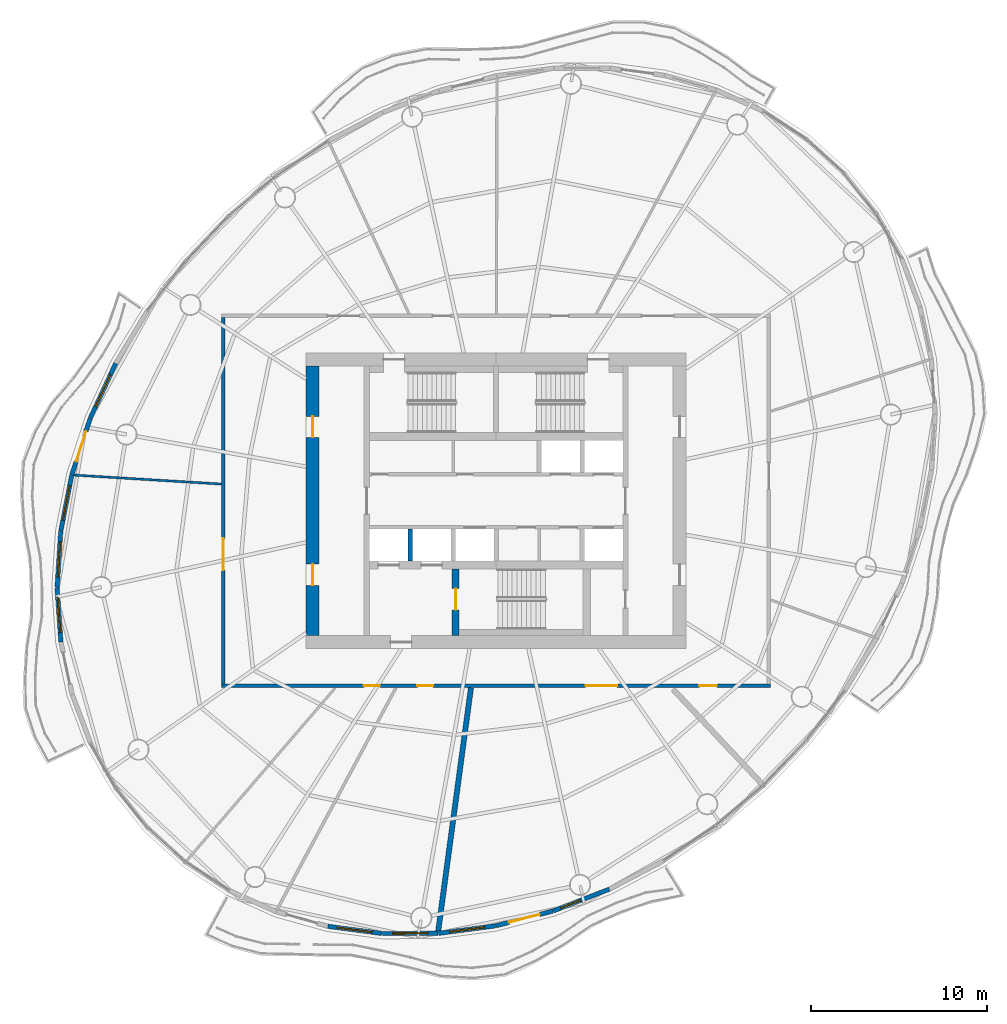
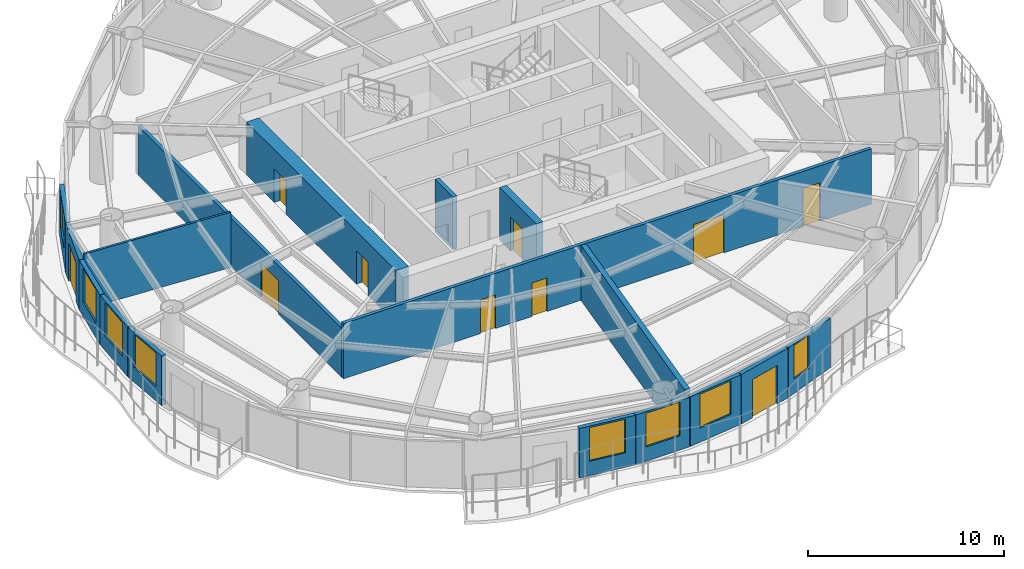
# One storey, part 8 of 14: 17 walls, 10 doors, 8 windows, 18 openings.
"""IFC4 building model written with IfcOpenShell, lengths in metres."""

from ifc_helpers import new_model, si_unit, direction, frame, frame_2d, origin, place, context, subcontext, project, spatial, rectangle, extrude, material, layer, layer_set, type_object, element, fill, save


model = new_model("IFC4")

# Units and contexts
model_context = context("Model", 3, precision=1e-05, world=origin(), true_north=direction((0.0, 1.0)))
body_context = subcontext(model_context, "Body", "Model", "MODEL_VIEW")
ifc_project = project(units=[si_unit("LENGTHUNIT", "METRE"), si_unit("AREAUNIT", "SQUARE_METRE"), si_unit("VOLUMEUNIT", "CUBIC_METRE"), si_unit("PLANEANGLEUNIT", "RADIAN"), si_unit("MASSUNIT", "GRAM", prefix="KILO")], contexts=[model_context])

# Site, building, storey
site_placement = place(None, origin())
site = spatial("IfcSite", under=ifc_project, at=site_placement, CompositionType="ELEMENT")
building_placement = place(site_placement, origin())
building = spatial("IfcBuilding", under=site, at=building_placement, Name="Vermilion Reach Broadcast Tower", CompositionType="ELEMENT")
storey_placement = place(building_placement, frame((0.0, 0.0, 206.5)))
storey = spatial("IfcBuildingStorey", under=building, at=storey_placement, Name="L50", CompositionType="ELEMENT", Elevation=206.5)

# Wall, opening, door
ifc_material_1 = material(Name="Concrete C60", Category="concrete")
ifc_layer_1 = layer(ifc_material_1, 0.39990234375)
ifc_layer_set_1 = layer_set([ifc_layer_1], Name="Core inner wall 400 mm Concrete C60")
wall_type_1 = type_object("IfcWallType", Name="Core inner wall 400 mm Concrete C60", PredefinedType="SHEAR", material=ifc_layer_set_1)
wall_1_placement = place(storey_placement, frame((-8.300048828125, -3.8798828125, 0.0), z_axis=(0.0, 0.0, 1.0), x_axis=(0.0, -1.0, 0.0)))
wall_1 = element("IfcWall", 1, at=wall_1_placement, inside=storey, type_object=wall_type_1, Name="L50 core wall wa", PredefinedType="SHEAR", context=body_context, shape_type="SweptSolid", body=[
    extrude(rectangle(XDim=3.77001953125, YDim=0.39990234375, at=frame_2d((1.885009765625, 0.0))), origin(), (0.0, 0.0, 1.0), 3.300048828125),
])
opening_1_placement = place(wall_1_placement, frame((1.110107421875, 0.0, 0.0)))
opening_1 = element("IfcOpeningElement", 2, at=opening_1_placement, cuts=wall_1, Name="Opening D01", PredefinedType="OPENING", context=body_context, shape_type="SweptSolid", body=[
    extrude(rectangle(XDim=1.199951171875, YDim=2.10009765625, at=frame_2d((0.60009765625, 1.050048828125))), frame((0.0, 0.2099609375, 0.0), z_axis=(0.0, -1.0, 0.0), x_axis=(1.0, 0.0, 0.0)), (0.0, 0.0, 1.0), 0.419921875),
])
ifc_material_2 = material(Name="Painted steel fire door", Category="steel")
door_type_1 = type_object("IfcDoorType", Name="Stair door 1200 x 2100", OperationType="DOUBLE_DOOR_SINGLE_SWING", PredefinedType="NOTDEFINED", material=ifc_material_2)
door_1_placement = place(opening_1_placement, origin())
door_1 = element("IfcDoor", 3, at=door_1_placement, inside=storey, type_object=door_type_1, Name="L50 stair door ST3", OperationType="DOUBLE_DOOR_SINGLE_SWING", OverallHeight=2.10009765625, OverallWidth=1.199951171875, PredefinedType="NOTDEFINED", context=body_context, shape_type="SweptSolid", body=[
    extrude(rectangle(XDim=1.199951171875, YDim=2.10009765625, at=frame_2d((0.60009765625, 1.050048828125))), frame((0.0, 0.02490234375, 0.0), z_axis=(0.0, -1.0, 0.0), x_axis=(1.0, 0.0, 0.0)), (0.0, 0.0, 1.0), 0.050048828125),
])
fill(opening_1, door_1)

# Wall, openings, doors
ifc_material_3 = material(Name="Concrete C60", Category="concrete")
ifc_layer_2 = layer(ifc_material_3, 0.75)
ifc_layer_set_2 = layer_set([ifc_layer_2], Name="Core outer wall 750 mm Concrete C60")
wall_type_2 = type_object("IfcWallType", Name="Core outer wall 750 mm Concrete C60", PredefinedType="SHEAR", material=ifc_layer_set_2)
wall_2_placement = place(storey_placement, frame((-16.425048828125, 7.64990234375, 0.0), z_axis=(0.0, 0.0, 1.0), x_axis=(0.0, -1.0, 0.0)))
wall_2 = element("IfcWall", 4, at=wall_2_placement, inside=storey, type_object=wall_type_2, Name="L50 core wall ow", PredefinedType="SHEAR", context=body_context, shape_type="SweptSolid", body=[
    extrude(rectangle(XDim=15.2998046875, YDim=0.75, at=frame_2d((7.64990234375, 0.0))), origin(), (0.0, 0.0, 1.0), 3.300048828125),
])
opening_2_placement = place(wall_2_placement, frame((11.25, 0.0, 0.0)))
opening_2 = element("IfcOpeningElement", 5, at=opening_2_placement, cuts=wall_2, Name="Opening D03", PredefinedType="OPENING", context=body_context, shape_type="SweptSolid", body=[
    extrude(rectangle(XDim=1.199951171875, YDim=2.10009765625, at=frame_2d((0.60009765625, 1.050048828125))), frame((0.0, 0.385009765625, 0.0), z_axis=(0.0, -1.0, 0.0), x_axis=(1.0, 0.0, 0.0)), (0.0, 0.0, 1.0), 0.77001953125),
])
opening_3_placement = place(wall_2_placement, frame((2.85009765625, 0.0, 0.0)))
opening_3 = element("IfcOpeningElement", 6, at=opening_3_placement, cuts=wall_2, Name="Opening D03", PredefinedType="OPENING", context=body_context, shape_type="SweptSolid", body=[
    extrude(rectangle(XDim=1.199951171875, YDim=2.10009765625, at=frame_2d((0.60009765625, 1.050048828125))), frame((0.0, 0.385009765625, 0.0), z_axis=(0.0, -1.0, 0.0), x_axis=(1.0, 0.0, 0.0)), (0.0, 0.0, 1.0), 0.77001953125),
])
ifc_material_4 = material(Name="Painted steel fire door", Category="steel")
door_type_2 = type_object("IfcDoorType", Name="Core lobby door 1200 x 2100", OperationType="DOUBLE_DOOR_SINGLE_SWING", PredefinedType="NOTDEFINED", material=ifc_material_4)
door_2_placement = place(opening_2_placement, origin())
door_2 = element("IfcDoor", 7, at=door_2_placement, inside=storey, type_object=door_type_2, Name="L50 slot door W0", OperationType="DOUBLE_DOOR_SINGLE_SWING", OverallHeight=2.10009765625, OverallWidth=1.199951171875, PredefinedType="NOTDEFINED", context=body_context, shape_type="SweptSolid", body=[
    extrude(rectangle(XDim=1.199951171875, YDim=2.10009765625, at=frame_2d((0.60009765625, 1.050048828125))), frame((0.0, 0.02490234375, 0.0), z_axis=(0.0, -1.0, 0.0), x_axis=(1.0, 0.0, 0.0)), (0.0, 0.0, 1.0), 0.050048828125),
])
fill(opening_2, door_2)
door_3_placement = place(opening_3_placement, origin())
door_3 = element("IfcDoor", 8, at=door_3_placement, inside=storey, type_object=door_type_2, Name="L50 slot door W1", OperationType="DOUBLE_DOOR_SINGLE_SWING", OverallHeight=2.10009765625, OverallWidth=1.199951171875, PredefinedType="NOTDEFINED", context=body_context, shape_type="SweptSolid", body=[
    extrude(rectangle(XDim=1.199951171875, YDim=2.10009765625, at=frame_2d((0.60009765625, 1.050048828125))), frame((0.0, 0.02490234375, 0.0), z_axis=(0.0, -1.0, 0.0), x_axis=(1.0, 0.0, 0.0)), (0.0, 0.0, 1.0), 0.050048828125),
])
fill(opening_3, door_3)

# Wall
ifc_material_5 = material(Name="Concrete C50", Category="concrete")
ifc_layer_3 = layer(ifc_material_5, 0.25)
ifc_layer_set_3 = layer_set([ifc_layer_3], Name="Core shaft wall 250 mm Concrete C50")
wall_type_3 = type_object("IfcWallType", Name="Core shaft wall 250 mm Concrete C50", PredefinedType="SHEAR", material=ifc_layer_set_3)
wall_3_placement = place(storey_placement, frame((-10.88330078125, -1.60009765625, 0.0), z_axis=(0.0, 0.0, 1.0), x_axis=(0.0, -1.0, 0.0)))
element("IfcWall", 9, at=wall_3_placement, inside=storey, type_object=wall_type_3, Name="L50 core wall psS0", PredefinedType="SHEAR", context=body_context, shape_type="SweptSolid", body=[
    extrude(rectangle(XDim=1.829833984375, YDim=0.25, at=frame_2d((0.9150390625, 0.0))), origin(), (0.0, 0.0, 1.0), 3.300048828125),
])

# Wall, openings, doors
ifc_material_6 = material(Name="Fire-rated gypsum board partition")
ifc_layer_4 = layer(ifc_material_6, 0.199951171875)
ifc_layer_set_4 = layer_set([ifc_layer_4], Name="Corridor wall 200 fire-rated")
wall_type_4 = type_object("IfcWallType", Name="Corridor wall 200 fire-rated", PredefinedType="PARTITIONING", material=ifc_layer_set_4)
wall_4_placement = place(storey_placement, frame((9.60009765625, -10.5, 0.0), z_axis=(0.0, 0.0, 1.0), x_axis=(-1.0, 0.0, 0.0)))
wall_4 = element("IfcWall", 10, at=wall_4_placement, inside=storey, type_object=wall_type_4, Name="Corridor wall 50.S", PredefinedType="PARTITIONING", context=body_context, shape_type="SweptSolid", body=[
    extrude(rectangle(XDim=31.2001953125, YDim=0.199951171875, at=frame_2d((15.60009765625, 0.0))), origin(), (0.0, 0.0, 1.0), 3.449951171875),
])
opening_4_placement = place(wall_4_placement, frame((22.209716796875, 0.0, 0.0)))
opening_4 = element("IfcOpeningElement", 11, at=opening_4_placement, cuts=wall_4, Name="Opening D22", PredefinedType="OPENING", context=body_context, shape_type="SweptSolid", body=[
    extrude(rectangle(XDim=0.89990234375, YDim=2.10009765625, at=frame_2d((0.449951171875, 1.050048828125))), frame((0.0, 0.10986328125, 0.0), z_axis=(0.0, -1.0, 0.0), x_axis=(1.0, 0.0, 0.0)), (0.0, 0.0, 1.0), 0.219970703125),
])
opening_5_placement = place(wall_4_placement, frame((19.173095703125, 0.0, 0.0)))
opening_5 = element("IfcOpeningElement", 12, at=opening_5_placement, cuts=wall_4, Name="Opening D22", PredefinedType="OPENING", context=body_context, shape_type="SweptSolid", body=[
    extrude(rectangle(XDim=0.89990234375, YDim=2.10009765625, at=frame_2d((0.449951171875, 1.050048828125))), frame((0.0, 0.10986328125, 0.0), z_axis=(0.0, -1.0, 0.0), x_axis=(1.0, 0.0, 0.0)), (0.0, 0.0, 1.0), 0.219970703125),
])
opening_6_placement = place(wall_4_placement, frame((8.719970703125, 0.0, 0.0)))
opening_6 = element("IfcOpeningElement", 13, at=opening_6_placement, cuts=wall_4, Name="Opening D27", PredefinedType="OPENING", context=body_context, shape_type="SweptSolid", body=[
    extrude(rectangle(XDim=1.800048828125, YDim=2.39990234375, at=frame_2d((0.89990234375, 1.199951171875))), frame((0.0, 0.10986328125, 0.0), z_axis=(0.0, -1.0, 0.0), x_axis=(1.0, 0.0, 0.0)), (0.0, 0.0, 1.0), 0.219970703125),
])
opening_7_placement = place(wall_4_placement, frame((3.05224609375, 0.0, 0.0)))
opening_7 = element("IfcOpeningElement", 14, at=opening_7_placement, cuts=wall_4, Name="Opening D23", PredefinedType="OPENING", context=body_context, shape_type="SweptSolid", body=[
    extrude(rectangle(XDim=1.0, YDim=2.39990234375, at=frame_2d((0.5, 1.199951171875))), frame((0.0, 0.10986328125, 0.0), z_axis=(0.0, -1.0, 0.0), x_axis=(1.0, 0.0, 0.0)), (0.0, 0.0, 1.0), 0.219970703125),
])
ifc_material_7 = material(Name="Acoustic timber door leaf", Category="wood")
door_type_3 = type_object("IfcDoorType", Name="Door pair 1800x2400", OperationType="NOTDEFINED", PredefinedType="DOOR", material=ifc_material_7)
door_4_placement = place(opening_6_placement, origin())
door_4 = element("IfcDoor", 15, at=door_4_placement, inside=storey, type_object=door_type_3, Name="Door 50.07", OperationType="DOUBLE_DOOR_SINGLE_SWING", OverallHeight=2.39990234375, OverallWidth=1.800048828125, PredefinedType="DOOR", context=body_context, shape_type="SweptSolid", body=[
    extrude(rectangle(XDim=1.800048828125, YDim=2.39990234375, at=frame_2d((0.89990234375, 1.199951171875))), frame((0.0, 0.02490234375, 0.0), z_axis=(0.0, -1.0, 0.0), x_axis=(1.0, 0.0, 0.0)), (0.0, 0.0, 1.0), 0.050048828125),
])
fill(opening_6, door_4)
ifc_material_8 = material(Name="Veneered timber door leaf", Category="wood")
door_type_4 = type_object("IfcDoorType", Name="Door single 1000x2400", OperationType="NOTDEFINED", PredefinedType="DOOR", material=ifc_material_8)
door_5_placement = place(opening_7_placement, origin())
door_5 = element("IfcDoor", 16, at=door_5_placement, inside=storey, type_object=door_type_4, Name="Door 50.08", OperationType="SINGLE_SWING_RIGHT", OverallHeight=2.39990234375, OverallWidth=1.0, PredefinedType="DOOR", context=body_context, shape_type="SweptSolid", body=[
    extrude(rectangle(XDim=1.0, YDim=2.39990234375, at=frame_2d((0.5, 1.199951171875))), frame((0.0, 0.02490234375, 0.0), z_axis=(0.0, -1.0, 0.0), x_axis=(1.0, 0.0, 0.0)), (0.0, 0.0, 1.0), 0.050048828125),
])
fill(opening_7, door_5)
ifc_material_9 = material(Name="Timber door leaf", Category="wood")
door_type_5 = type_object("IfcDoorType", Name="Door single 900x2100", OperationType="NOTDEFINED", PredefinedType="DOOR", material=ifc_material_9)
door_6_placement = place(opening_4_placement, origin())
door_6 = element("IfcDoor", 17, at=door_6_placement, inside=storey, type_object=door_type_5, Name="Door 50.05", OperationType="SINGLE_SWING_LEFT", OverallHeight=2.10009765625, OverallWidth=0.89990234375, PredefinedType="DOOR", context=body_context, shape_type="SweptSolid", body=[
    extrude(rectangle(XDim=0.89990234375, YDim=2.10009765625, at=frame_2d((0.449951171875, 1.050048828125))), frame((0.0, 0.02490234375, 0.0), z_axis=(0.0, -1.0, 0.0), x_axis=(1.0, 0.0, 0.0)), (0.0, 0.0, 1.0), 0.050048828125),
])
fill(opening_4, door_6)
door_7_placement = place(opening_5_placement, origin())
door_7 = element("IfcDoor", 18, at=door_7_placement, inside=storey, type_object=door_type_5, Name="Door 50.06", OperationType="SINGLE_SWING_RIGHT", OverallHeight=2.10009765625, OverallWidth=0.89990234375, PredefinedType="DOOR", context=body_context, shape_type="SweptSolid", body=[
    extrude(rectangle(XDim=0.89990234375, YDim=2.10009765625, at=frame_2d((0.449951171875, 1.050048828125))), frame((0.0, 0.02490234375, 0.0), z_axis=(0.0, -1.0, 0.0), x_axis=(1.0, 0.0, 0.0)), (0.0, 0.0, 1.0), 0.050048828125),
])
fill(opening_5, door_7)

# Walls
ifc_material_10 = material(Name="Fire-rated plasterboard on steel stud", Category="steel")
ifc_layer_5 = layer(ifc_material_10, 0.125)
ifc_layer_set_5 = layer_set([ifc_layer_5], Name="Partition 125 fire-rated stud")
wall_type_5 = type_object("IfcWallType", Name="Partition 125 fire-rated stud", PredefinedType="PARTITIONING", material=ifc_layer_set_5)
wall_5_placement = place(storey_placement, frame((-29.978515625, 1.461669921875, 0.0), z_axis=(0.0, 0.0, 1.0), x_axis=(0.998147297747, -0.060843832889, 0.0)))
element("IfcWall", 19, at=wall_5_placement, inside=storey, type_object=wall_type_5, Name="Partition 50.04", PredefinedType="PARTITIONING", context=body_context, shape_type="SweptSolid", body=[
    extrude(rectangle(XDim=8.390380859375, YDim=0.125, at=frame_2d((4.1953125, 0.0))), origin(), (0.0, 0.0, 1.0), 3.449951171875),
])
ifc_material_11 = material(Name="Double-leaf plasterboard on isolated steel stud", Category="steel")
ifc_layer_6 = layer(ifc_material_11, 0.300048828125)
ifc_layer_set_6 = layer_set([ifc_layer_6], Name="Partition 300 acoustic double leaf")
wall_type_6 = type_object("IfcWallType", Name="Partition 300 acoustic double leaf", PredefinedType="PARTITIONING", material=ifc_layer_set_6)
wall_6_placement = place(storey_placement, frame((-9.288818359375, -24.44970703125, 0.0), z_axis=(0.0, 0.0, 1.0), x_axis=(0.133318818673, 0.991073202436, 0.0)))
element("IfcWall", 20, at=wall_6_placement, inside=storey, type_object=wall_type_6, Name="Partition 50.07", PredefinedType="PARTITIONING", context=body_context, shape_type="SweptSolid", body=[
    extrude(rectangle(XDim=13.9541015625, YDim=0.300048828125, at=frame_2d((6.97705078125, 0.0))), origin(), (0.0, 0.0, 1.0), 3.449951171875),
])

# Wall, opening, window
ifc_material_12 = material(Name="Terracotta rainscreen cladding", Category="masonry")
ifc_layer_7 = layer(ifc_material_12, 0.25)
ifc_layer_set_7 = layer_set([ifc_layer_7], Name="Terracotta rainscreen wall 250")
wall_type_7 = type_object("IfcWallType", Name="Terracotta rainscreen wall 250", PredefinedType="SOLIDWALL", material=ifc_layer_set_7)
wall_7_placement = place(storey_placement, frame((-27.6162109375, 7.804443359375, 0.0), z_axis=(0.0, 0.0, 1.0), x_axis=(-0.419438897157, -0.907783570876, 0.0)))
wall_7 = element("IfcWall", 21, at=wall_7_placement, inside=storey, type_object=wall_type_7, Name="External wall L50 15", PredefinedType="SOLIDWALL", context=body_context, shape_type="SweptSolid", body=[
    extrude(rectangle(XDim=3.41552734375, YDim=0.25, at=frame_2d((1.707763671875, 0.0))), origin(), (0.0, 0.0, 1.0), 3.10009765625),
])
opening_8_placement = place(wall_7_placement, frame((0.707763671875, 0.0, 0.89990234375)))
opening_8 = element("IfcOpeningElement", 22, at=opening_8_placement, cuts=wall_7, Name="Opening W03", PredefinedType="OPENING", context=body_context, shape_type="SweptSolid", body=[
    extrude(rectangle(XDim=2.0, YDim=2.10009765625, at=frame_2d((1.0, 1.050048828125))), frame((0.0, 0.135009765625, 0.0), z_axis=(0.0, -1.0, 0.0), x_axis=(1.0, 0.0, 0.0)), (0.0, 0.0, 1.0), 0.27001953125),
])
ifc_material_13 = material(Name="Low-e laminated clear glass in aluminium frame", Category="aluminium")
window_type_1 = type_object("IfcWindowType", Name="Punched window 2000 x 2100 sill 900", PartitioningType="SINGLE_PANEL", PredefinedType="WINDOW", material=ifc_material_13)
window_1_placement = place(opening_8_placement, origin())
window_1 = element("IfcWindow", 23, at=window_1_placement, inside=storey, type_object=window_type_1, Name="Window L50 15", OverallHeight=2.10009765625, OverallWidth=2.0, PartitioningType="SINGLE_PANEL", PredefinedType="WINDOW", context=body_context, shape_type="SweptSolid", body=[
    extrude(rectangle(XDim=2.0, YDim=2.10009765625, at=frame_2d((1.0, 1.050048828125))), frame((0.0, 0.030029296875, 0.0), z_axis=(0.0, -1.0, 0.0), x_axis=(1.0, 0.0, 0.0)), (0.0, 0.0, 1.0), 0.06005859375),
])
fill(opening_8, window_1)

# Wall, opening, door
wall_8_placement = place(storey_placement, frame((-29.056884765625, 4.682861328125, 0.0), z_axis=(0.0, 0.0, 1.0), x_axis=(-0.310658941467, -0.950521447463, 0.0)))
wall_8 = element("IfcWall", 24, at=wall_8_placement, inside=storey, type_object=wall_type_7, Name="External wall L50 16", PredefinedType="SOLIDWALL", context=body_context, shape_type="SweptSolid", body=[
    extrude(rectangle(XDim=3.343994140625, YDim=0.25, at=frame_2d((1.671875, 0.0))), origin(), (0.0, 0.0, 1.0), 3.10009765625),
])
opening_9_placement = place(wall_8_placement, frame((0.77197265625, 0.0, 0.0)))
opening_9 = element("IfcOpeningElement", 25, at=opening_9_placement, cuts=wall_8, Name="Opening D70", PredefinedType="OPENING", context=body_context, shape_type="SweptSolid", body=[
    extrude(rectangle(XDim=1.800048828125, YDim=2.39990234375, at=frame_2d((0.89990234375, 1.199951171875))), frame((0.0, 0.135009765625, 0.0), z_axis=(0.0, -1.0, 0.0), x_axis=(1.0, 0.0, 0.0)), (0.0, 0.0, 1.0), 0.27001953125),
])
ifc_material_14 = material(Name="Low-e laminated clear glass in aluminium frame", Category="aluminium")
door_type_6 = type_object("IfcDoorType", Name="Balcony sliding door 1800 x 2400", OperationType="DOUBLE_DOOR_SLIDING", PredefinedType="DOOR", material=ifc_material_14)
door_8_placement = place(opening_9_placement, origin())
door_8 = element("IfcDoor", 26, at=door_8_placement, inside=storey, type_object=door_type_6, Name="Balcony door L50 run 04", OperationType="DOUBLE_DOOR_SLIDING", OverallHeight=2.39990234375, OverallWidth=1.800048828125, PredefinedType="DOOR", context=body_context, shape_type="SweptSolid", body=[
    extrude(rectangle(XDim=1.800048828125, YDim=2.39990234375, at=frame_2d((0.89990234375, 1.199951171875))), frame((0.0, 0.02490234375, 0.0), z_axis=(0.0, -1.0, 0.0), x_axis=(1.0, 0.0, 0.0)), (0.0, 0.0, 1.0), 0.050048828125),
])
fill(opening_9, door_8)

# Wall, opening, window
wall_9_placement = place(storey_placement, frame((-30.1015625, 1.48193359375, 0.0), z_axis=(0.0, 0.0, 1.0), x_axis=(-0.192487942272, -0.981299338673, 0.0)))
wall_9 = element("IfcWall", 27, at=wall_9_placement, inside=storey, type_object=wall_type_7, Name="External wall L50 17", PredefinedType="SOLIDWALL", context=body_context, shape_type="SweptSolid", body=[
    extrude(rectangle(XDim=3.26220703125, YDim=0.25, at=frame_2d((1.631103515625, 0.0))), origin(), (0.0, 0.0, 1.0), 3.10009765625),
])
opening_10_placement = place(wall_9_placement, frame((0.631103515625, 0.0, 0.89990234375)))
opening_10 = element("IfcOpeningElement", 28, at=opening_10_placement, cuts=wall_9, Name="Opening W03", PredefinedType="OPENING", context=body_context, shape_type="SweptSolid", body=[
    extrude(rectangle(XDim=2.0, YDim=2.10009765625, at=frame_2d((1.0, 1.050048828125))), frame((0.0, 0.135009765625, 0.0), z_axis=(0.0, -1.0, 0.0), x_axis=(1.0, 0.0, 0.0)), (0.0, 0.0, 1.0), 0.27001953125),
])
window_2_placement = place(opening_10_placement, origin())
window_2 = element("IfcWindow", 29, at=window_2_placement, inside=storey, type_object=window_type_1, Name="Window L50 17", OverallHeight=2.10009765625, OverallWidth=2.0, PartitioningType="SINGLE_PANEL", PredefinedType="WINDOW", context=body_context, shape_type="SweptSolid", body=[
    extrude(rectangle(XDim=2.0, YDim=2.10009765625, at=frame_2d((1.0, 1.050048828125))), frame((0.0, 0.030029296875, 0.0), z_axis=(0.0, -1.0, 0.0), x_axis=(1.0, 0.0, 0.0)), (0.0, 0.0, 1.0), 0.06005859375),
])
fill(opening_10, window_2)

wall_10_placement = place(storey_placement, frame((-30.732666015625, -1.742919921875, 0.0), z_axis=(0.0, 0.0, 1.0), x_axis=(-0.065278866851, -0.997867060055, 0.0)))
wall_10 = element("IfcWall", 30, at=wall_10_placement, inside=storey, type_object=wall_type_7, Name="External wall L50 18", PredefinedType="SOLIDWALL", context=body_context, shape_type="SweptSolid", body=[
    extrude(rectangle(XDim=3.17529296875, YDim=0.25, at=frame_2d((1.587646484375, 0.0))), origin(), (0.0, 0.0, 1.0), 3.10009765625),
])
opening_11_placement = place(wall_10_placement, frame((0.587646484375, 0.0, 0.89990234375)))
opening_11 = element("IfcOpeningElement", 31, at=opening_11_placement, cuts=wall_10, Name="Opening W03", PredefinedType="OPENING", context=body_context, shape_type="SweptSolid", body=[
    extrude(rectangle(XDim=2.0, YDim=2.10009765625, at=frame_2d((1.0, 1.050048828125))), frame((0.0, 0.135009765625, 0.0), z_axis=(0.0, -1.0, 0.0), x_axis=(1.0, 0.0, 0.0)), (0.0, 0.0, 1.0), 0.27001953125),
])
window_3_placement = place(opening_11_placement, origin())
window_3 = element("IfcWindow", 32, at=window_3_placement, inside=storey, type_object=window_type_1, Name="Window L50 18", OverallHeight=2.10009765625, OverallWidth=2.0, PartitioningType="SINGLE_PANEL", PredefinedType="WINDOW", context=body_context, shape_type="SweptSolid", body=[
    extrude(rectangle(XDim=2.0, YDim=2.10009765625, at=frame_2d((1.0, 1.050048828125))), frame((0.0, 0.030029296875, 0.0), z_axis=(0.0, -1.0, 0.0), x_axis=(1.0, 0.0, 0.0)), (0.0, 0.0, 1.0), 0.06005859375),
])
fill(opening_11, window_3)

wall_11_placement = place(storey_placement, frame((-30.93994140625, -4.936279296875, 0.0), z_axis=(0.0, 0.0, 1.0), x_axis=(0.06987632373, -0.997555662298, 0.0)))
wall_11 = element("IfcWall", 33, at=wall_11_placement, inside=storey, type_object=wall_type_7, Name="External wall L50 19", PredefinedType="SOLIDWALL", context=body_context, shape_type="SweptSolid", body=[
    extrude(rectangle(XDim=3.088623046875, YDim=0.25, at=frame_2d((1.54443359375, 0.0))), origin(), (0.0, 0.0, 1.0), 3.10009765625),
])
opening_12_placement = place(wall_11_placement, frame((0.54443359375, 0.0, 0.89990234375)))
opening_12 = element("IfcOpeningElement", 34, at=opening_12_placement, cuts=wall_11, Name="Opening W03", PredefinedType="OPENING", context=body_context, shape_type="SweptSolid", body=[
    extrude(rectangle(XDim=2.0, YDim=2.10009765625, at=frame_2d((1.0, 1.050048828125))), frame((0.0, 0.135009765625, 0.0), z_axis=(0.0, -1.0, 0.0), x_axis=(1.0, 0.0, 0.0)), (0.0, 0.0, 1.0), 0.27001953125),
])
window_4_placement = place(opening_12_placement, origin())
window_4 = element("IfcWindow", 35, at=window_4_placement, inside=storey, type_object=window_type_1, Name="Window L50 19", OverallHeight=2.10009765625, OverallWidth=2.0, PartitioningType="SINGLE_PANEL", PredefinedType="WINDOW", context=body_context, shape_type="SweptSolid", body=[
    extrude(rectangle(XDim=2.0, YDim=2.10009765625, at=frame_2d((1.0, 1.050048828125))), frame((0.0, 0.030029296875, 0.0), z_axis=(0.0, -1.0, 0.0), x_axis=(1.0, 0.0, 0.0)), (0.0, 0.0, 1.0), 0.06005859375),
])
fill(opening_12, window_4)

wall_12_placement = place(storey_placement, frame((-15.553955078125, -24.171875, 0.0), z_axis=(0.0, 0.0, 1.0), x_axis=(0.99120717839, -0.132319044388, 0.0)))
wall_12 = element("IfcWall", 36, at=wall_12_placement, inside=storey, type_object=wall_type_7, Name="External wall L50 28", PredefinedType="SOLIDWALL", context=body_context, shape_type="SweptSolid", body=[
    extrude(rectangle(XDim=3.088623046875, YDim=0.25, at=frame_2d((1.54443359375, 0.0))), origin(), (0.0, 0.0, 1.0), 3.10009765625),
])
opening_13_placement = place(wall_12_placement, frame((0.54443359375, 0.0, 0.89990234375)))
opening_13 = element("IfcOpeningElement", 37, at=opening_13_placement, cuts=wall_12, Name="Opening W03", PredefinedType="OPENING", context=body_context, shape_type="SweptSolid", body=[
    extrude(rectangle(XDim=2.0, YDim=2.10009765625, at=frame_2d((1.0, 1.050048828125))), frame((0.0, 0.135009765625, 0.0), z_axis=(0.0, -1.0, 0.0), x_axis=(1.0, 0.0, 0.0)), (0.0, 0.0, 1.0), 0.27001953125),
])
window_5_placement = place(opening_13_placement, origin())
window_5 = element("IfcWindow", 38, at=window_5_placement, inside=storey, type_object=window_type_1, Name="Window L50 28", OverallHeight=2.10009765625, OverallWidth=2.0, PartitioningType="SINGLE_PANEL", PredefinedType="WINDOW", context=body_context, shape_type="SweptSolid", body=[
    extrude(rectangle(XDim=2.0, YDim=2.10009765625, at=frame_2d((1.0, 1.050048828125))), frame((0.0, 0.030029296875, 0.0), z_axis=(0.0, -1.0, 0.0), x_axis=(1.0, 0.0, 0.0)), (0.0, 0.0, 1.0), 0.06005859375),
])
fill(opening_13, window_5)

wall_13_placement = place(storey_placement, frame((-12.467529296875, -24.582275390625, 0.0), z_axis=(0.0, 0.0, 1.0), x_axis=(0.999996972757, 0.002460584631, 0.0)))
wall_13 = element("IfcWall", 39, at=wall_13_placement, inside=storey, type_object=wall_type_7, Name="External wall L50 29", PredefinedType="SOLIDWALL", context=body_context, shape_type="SweptSolid", body=[
    extrude(rectangle(XDim=3.175048828125, YDim=0.25, at=frame_2d((1.58740234375, 0.0))), origin(), (0.0, 0.0, 1.0), 3.10009765625),
])
opening_14_placement = place(wall_13_placement, frame((0.587646484375, 0.0, 0.89990234375)))
opening_14 = element("IfcOpeningElement", 40, at=opening_14_placement, cuts=wall_13, Name="Opening W03", PredefinedType="OPENING", context=body_context, shape_type="SweptSolid", body=[
    extrude(rectangle(XDim=2.0, YDim=2.10009765625, at=frame_2d((1.0, 1.050048828125))), frame((0.0, 0.135009765625, 0.0), z_axis=(0.0, -1.0, 0.0), x_axis=(1.0, 0.0, 0.0)), (0.0, 0.0, 1.0), 0.27001953125),
])
window_6_placement = place(opening_14_placement, origin())
window_6 = element("IfcWindow", 41, at=window_6_placement, inside=storey, type_object=window_type_1, Name="Window L50 29", OverallHeight=2.10009765625, OverallWidth=2.0, PartitioningType="SINGLE_PANEL", PredefinedType="WINDOW", context=body_context, shape_type="SweptSolid", body=[
    extrude(rectangle(XDim=2.0, YDim=2.10009765625, at=frame_2d((1.0, 1.050048828125))), frame((0.0, 0.030029296875, 0.0), z_axis=(0.0, -1.0, 0.0), x_axis=(1.0, 0.0, 0.0)), (0.0, 0.0, 1.0), 0.06005859375),
])
fill(opening_14, window_6)

wall_14_placement = place(storey_placement, frame((-9.2685546875, -24.57275390625, 0.0), z_axis=(0.0, 0.0, 1.0), x_axis=(0.991444867529, 0.130526145465, 0.0)))
wall_14 = element("IfcWall", 42, at=wall_14_placement, inside=storey, type_object=wall_type_7, Name="External wall L50 30", PredefinedType="SOLIDWALL", context=body_context, shape_type="SweptSolid", body=[
    extrude(rectangle(XDim=3.261962890625, YDim=0.25, at=frame_2d((1.630859375, 0.0))), origin(), (0.0, 0.0, 1.0), 3.10009765625),
])
opening_15_placement = place(wall_14_placement, frame((0.631103515625, 0.0, 0.89990234375)))
opening_15 = element("IfcOpeningElement", 43, at=opening_15_placement, cuts=wall_14, Name="Opening W03", PredefinedType="OPENING", context=body_context, shape_type="SweptSolid", body=[
    extrude(rectangle(XDim=2.0, YDim=2.10009765625, at=frame_2d((1.0, 1.050048828125))), frame((0.0, 0.135009765625, 0.0), z_axis=(0.0, -1.0, 0.0), x_axis=(1.0, 0.0, 0.0)), (0.0, 0.0, 1.0), 0.27001953125),
])
window_7_placement = place(opening_15_placement, origin())
window_7 = element("IfcWindow", 44, at=window_7_placement, inside=storey, type_object=window_type_1, Name="Window L50 30", OverallHeight=2.10009765625, OverallWidth=2.0, PartitioningType="SINGLE_PANEL", PredefinedType="WINDOW", context=body_context, shape_type="SweptSolid", body=[
    extrude(rectangle(XDim=2.0, YDim=2.10009765625, at=frame_2d((1.0, 1.050048828125))), frame((0.0, 0.030029296875, 0.0), z_axis=(0.0, -1.0, 0.0), x_axis=(1.0, 0.0, 0.0)), (0.0, 0.0, 1.0), 0.06005859375),
])
fill(opening_15, window_7)

# Wall, opening, door
wall_15_placement = place(storey_placement, frame((-6.011474609375, -24.142578125, 0.0), z_axis=(0.0, 0.0, 1.0), x_axis=(0.968152404137, 0.250361583242, 0.0)))
wall_15 = element("IfcWall", 45, at=wall_15_placement, inside=storey, type_object=wall_type_7, Name="External wall L50 31", PredefinedType="SOLIDWALL", context=body_context, shape_type="SweptSolid", body=[
    extrude(rectangle(XDim=3.34375, YDim=0.25, at=frame_2d((1.671875, 0.0))), origin(), (0.0, 0.0, 1.0), 3.10009765625),
])
opening_16_placement = place(wall_15_placement, frame((0.77197265625, 0.0, 0.0)))
opening_16 = element("IfcOpeningElement", 46, at=opening_16_placement, cuts=wall_15, Name="Opening D70", PredefinedType="OPENING", context=body_context, shape_type="SweptSolid", body=[
    extrude(rectangle(XDim=1.800048828125, YDim=2.39990234375, at=frame_2d((0.89990234375, 1.199951171875))), frame((0.0, 0.135009765625, 0.0), z_axis=(0.0, -1.0, 0.0), x_axis=(1.0, 0.0, 0.0)), (0.0, 0.0, 1.0), 0.27001953125),
])
door_9_placement = place(opening_16_placement, origin())
door_9 = element("IfcDoor", 47, at=door_9_placement, inside=storey, type_object=door_type_6, Name="Balcony door L50 run 08", OperationType="DOUBLE_DOOR_SLIDING", OverallHeight=2.39990234375, OverallWidth=1.800048828125, PredefinedType="DOOR", context=body_context, shape_type="SweptSolid", body=[
    extrude(rectangle(XDim=1.800048828125, YDim=2.39990234375, at=frame_2d((0.89990234375, 1.199951171875))), frame((0.0, 0.02490234375, 0.0), z_axis=(0.0, -1.0, 0.0), x_axis=(1.0, 0.0, 0.0)), (0.0, 0.0, 1.0), 0.050048828125),
])
fill(opening_16, door_9)

# Wall, opening, window
wall_16_placement = place(storey_placement, frame((-2.752685546875, -23.298583984375, 0.0), z_axis=(0.0, 0.0, 1.0), x_axis=(0.932349015041, 0.361559558236, 0.0)))
wall_16 = element("IfcWall", 48, at=wall_16_placement, inside=storey, type_object=wall_type_7, Name="External wall L50 32", PredefinedType="SOLIDWALL", context=body_context, shape_type="SweptSolid", body=[
    extrude(rectangle(XDim=3.415283203125, YDim=0.25, at=frame_2d((1.70751953125, 0.0))), origin(), (0.0, 0.0, 1.0), 3.10009765625),
])
opening_17_placement = place(wall_16_placement, frame((0.4580078125, 0.0, 0.89990234375)))
opening_17 = element("IfcOpeningElement", 49, at=opening_17_placement, cuts=wall_16, Name="Opening W05", PredefinedType="OPENING", context=body_context, shape_type="SweptSolid", body=[
    extrude(rectangle(XDim=1.199951171875, YDim=2.10009765625, at=frame_2d((0.60009765625, 1.050048828125))), frame((0.0, 0.135009765625, 0.0), z_axis=(0.0, -1.0, 0.0), x_axis=(1.0, 0.0, 0.0)), (0.0, 0.0, 1.0), 0.27001953125),
])
ifc_material_15 = material(Name="Low-e laminated clear glass in aluminium frame", Category="aluminium")
window_type_2 = type_object("IfcWindowType", Name="Punched window 1200 x 2100 sill 900", PartitioningType="SINGLE_PANEL", PredefinedType="WINDOW", material=ifc_material_15)
window_8_placement = place(opening_17_placement, origin())
window_8 = element("IfcWindow", 50, at=window_8_placement, inside=storey, type_object=window_type_2, Name="Window L50 32", OverallHeight=2.10009765625, OverallWidth=1.199951171875, PartitioningType="SINGLE_PANEL", PredefinedType="WINDOW", context=body_context, shape_type="SweptSolid", body=[
    extrude(rectangle(XDim=1.199951171875, YDim=2.10009765625, at=frame_2d((0.60009765625, 1.050048828125))), frame((0.0, 0.030029296875, 0.0), z_axis=(0.0, -1.0, 0.0), x_axis=(1.0, 0.0, 0.0)), (0.0, 0.0, 1.0), 0.06005859375),
])
fill(opening_17, window_8)

# Wall, opening, door
ifc_material_16 = material(Name="Fire-rated gypsum board partition")
ifc_layer_8 = layer(ifc_material_16, 0.199951171875)
ifc_layer_set_8 = layer_set([ifc_layer_8], Name="Under girder: Corridor wall 200 fire-rated")
wall_type_8 = type_object("IfcWallType", Name="Under girder: Corridor wall 200 fire-rated", PredefinedType="PARTITIONING", material=ifc_layer_set_8)
wall_17_placement = place(storey_placement, frame((-21.5, -10.39990234375, 0.0), z_axis=(0.0, 0.0, 1.0), x_axis=(0.0, 1.0, 0.0)))
wall_17 = element("IfcWall", 51, at=wall_17_placement, inside=storey, type_object=wall_type_8, Name="Corridor wall 50.W", PredefinedType="PARTITIONING", context=body_context, shape_type="SweptSolid", body=[
    extrude(rectangle(XDim=20.7998046875, YDim=0.199951171875, at=frame_2d((10.39990234375, 0.0))), origin(), (0.0, 0.0, 1.0), 3.050048828125),
])
opening_18_placement = place(wall_17_placement, frame((6.460693359375, 0.0, 0.0)))
opening_18 = element("IfcOpeningElement", 52, at=opening_18_placement, cuts=wall_17, Name="Opening D21", PredefinedType="OPENING", context=body_context, shape_type="SweptSolid", body=[
    extrude(rectangle(XDim=1.800048828125, YDim=2.10009765625, at=frame_2d((0.89990234375, 1.050048828125))), frame((0.0, 0.10986328125, 0.0), z_axis=(0.0, -1.0, 0.0), x_axis=(1.0, 0.0, 0.0)), (0.0, 0.0, 1.0), 0.219970703125),
])
ifc_material_17 = material(Name="Timber door leaf", Category="wood")
door_type_7 = type_object("IfcDoorType", Name="Door pair 1800x2100", OperationType="NOTDEFINED", PredefinedType="DOOR", material=ifc_material_17)
door_10_placement = place(opening_18_placement, origin())
door_10 = element("IfcDoor", 53, at=door_10_placement, inside=storey, type_object=door_type_7, Name="Door 50.04", OperationType="DOUBLE_DOOR_SINGLE_SWING", OverallHeight=2.10009765625, OverallWidth=1.800048828125, PredefinedType="DOOR", context=body_context, shape_type="SweptSolid", body=[
    extrude(rectangle(XDim=1.800048828125, YDim=2.10009765625, at=frame_2d((0.89990234375, 1.050048828125))), frame((0.0, 0.02490234375, 0.0), z_axis=(0.0, -1.0, 0.0), x_axis=(1.0, 0.0, 0.0)), (0.0, 0.0, 1.0), 0.050048828125),
])
fill(opening_18, door_10)

save(model, "model.ifc")
